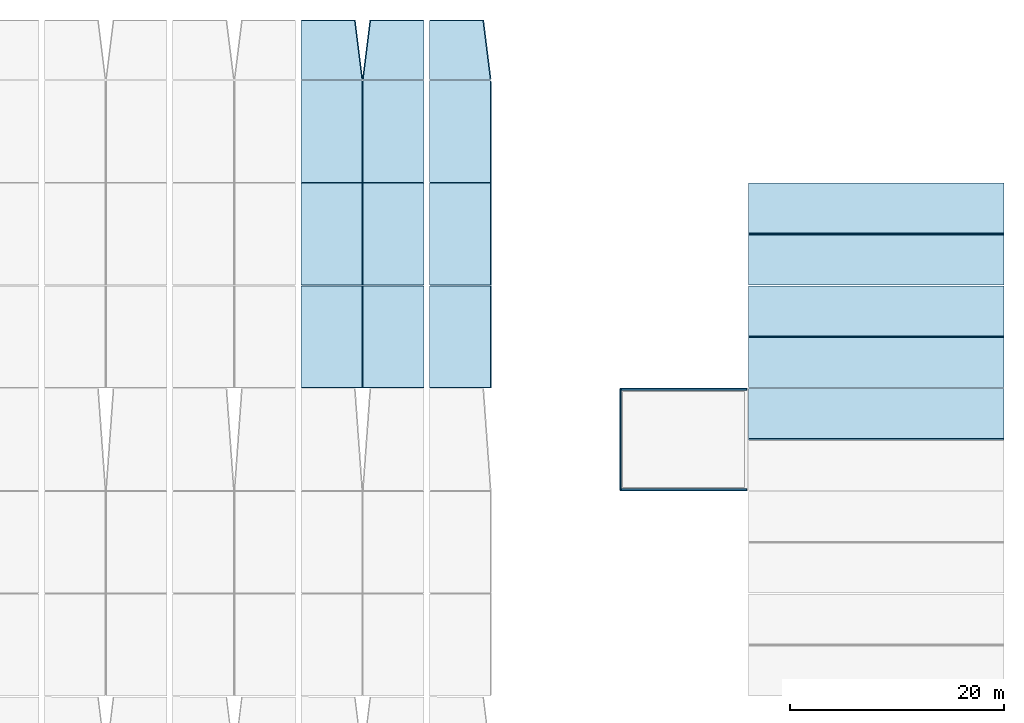
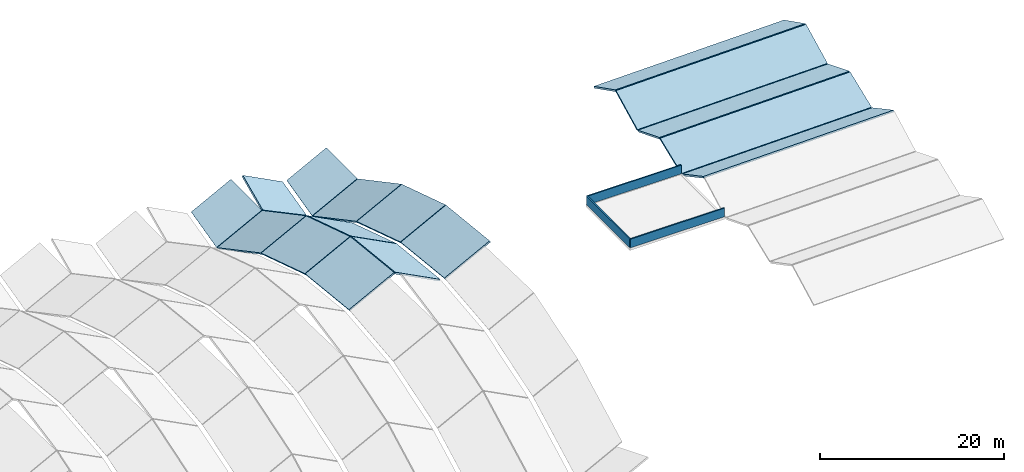
# One storey, part 3 of 4: 17 slabs, 3 walls.
"""IFC4 building model written with IfcOpenShell, lengths in metres."""

from ifc_helpers import new_model, si_unit, direction, frame, frame_2d, origin, place, context, subcontext, project, spatial, polyline, rectangle, outline, extrude, material, layer, layer_set, type_object, element, save


model = new_model("IFC4")

# Units and contexts
model_context = context("Model", 3, precision=1e-05, world=origin(), true_north=direction((0.0, 1.0)))
body_context = subcontext(model_context, "Body", "Model", "MODEL_VIEW")
ifc_project = project(units=[si_unit("LENGTHUNIT", "METRE"), si_unit("AREAUNIT", "SQUARE_METRE"), si_unit("VOLUMEUNIT", "CUBIC_METRE"), si_unit("PLANEANGLEUNIT", "RADIAN"), si_unit("MASSUNIT", "GRAM", prefix="KILO")], contexts=[model_context])

# Site, building, storey
site_placement = place(None, origin())
site = spatial("IfcSite", under=ifc_project, at=site_placement, CompositionType="ELEMENT")
building_placement = place(site_placement, origin())
building = spatial("IfcBuilding", under=site, at=building_placement, Name="Pandanus Reach Market Hall", CompositionType="ELEMENT")
storey_placement = place(building_placement, frame((0.0, 0.0, 22.800048828125)))
storey = spatial("IfcBuildingStorey", under=building, at=storey_placement, Name="RF", CompositionType="ELEMENT", Elevation=22.800048828125)

# Slabs
ifc_material_1 = material(Name="Concrete N50 (50 MPa)", Category="concrete")
ifc_layer_1 = layer(ifc_material_1, 0.205078125, Name="RF-BFY-205")
ifc_layer_set_1 = layer_set([ifc_layer_1], Name="Concrete N50 (50 MPa)")
slab_type_1 = type_object("IfcSlabType", Name="RF-BFY-205", PredefinedType="ROOF", material=ifc_layer_set_1)
slab_1_placement = place(storey_placement, frame((114.260009765625, 86.43994140625, -12.804931640625), z_axis=(-0.450556899093, -0.215053322153, 0.866458625273), x_axis=(0.887217290863, 1.723796e-06, 0.461351795044)))
element("IfcSlab", 1, at=slab_1_placement, inside=storey, type_object=slab_type_1, Name="Butterfly shell roof wing B6.8E", PredefinedType="ROOF", context=body_context, shape_type="SweptSolid", body=[
    extrude(outline(polyline([(0.0, 0.0), (6.401988351654198, 0.0), (6.256402913692908, 5.65225854928703), (0.6321155392589709, 5.652279776803195), (0.0, 0.0)])), origin(), (0.0, 0.0, -1.0), 0.205078125),
])
slab_2_placement = place(storey_placement, frame((120.06005859375, 86.43994140625, -9.851318359375), z_axis=(0.450556899093, -0.215053322153, 0.866458625273), x_axis=(0.887217290863, -1.723796e-06, -0.461351795044)))
element("IfcSlab", 2, at=slab_2_placement, inside=storey, type_object=slab_type_1, Name="Butterfly shell roof wing B7.8W", PredefinedType="ROOF", context=body_context, shape_type="SweptSolid", body=[
    extrude(outline(polyline([(0.0, 0.0), (6.401988351654198, 0.0), (5.769872812395228, 5.652279776803196), (0.14558543796129203, 5.65225854928703), (0.0, 0.0)])), origin(), (0.0, 0.0, -1.0), 0.205078125),
])
slab_3_placement = place(storey_placement, frame((126.260009765625, 86.43994140625, -12.804931640625), z_axis=(-0.450556899093, -0.215053322153, 0.866458625273), x_axis=(0.887217290863, 1.723796e-06, 0.461351795044)))
element("IfcSlab", 3, at=slab_3_placement, inside=storey, type_object=slab_type_1, Name="Butterfly shell roof wing B7.8E", PredefinedType="ROOF", context=body_context, shape_type="SweptSolid", body=[
    extrude(outline(polyline([(0.0, 0.0), (6.401988351654198, 0.0), (6.256402913692908, 5.65225854928703), (0.6321155392589709, 5.652279776803195), (0.0, 0.0)])), origin(), (0.0, 0.0, -1.0), 0.205078125),
])
ifc_layer_2 = layer(ifc_material_1, 0.219970703125, Name="RF-BFY-220")
ifc_layer_set_2 = layer_set([ifc_layer_2], Name="Concrete N50 (50 MPa)")
slab_type_2 = type_object("IfcSlabType", Name="RF-BFY-220", PredefinedType="ROOF", material=ifc_layer_set_2)
slab_4_placement = place(storey_placement, frame((114.260009765625, 57.639892578125, -3.604736328125), z_axis=(-0.459298291418, 0.094061978556, 0.883287848717), x_axis=(0.887221553122, 1.584233e-06, 0.461343598278)))
element("IfcSlab", 4, at=slab_4_placement, inside=storey, type_object=slab_type_2, Name="Butterfly shell roof wing B6.5E", PredefinedType="ROOF", context=body_context, shape_type="SweptSolid", body=[
    extrude(outline(polyline([(0.0, 0.0), (6.401875718205034, -2.7755575615628914e-17), (5.93423976985238, 9.562406556601218), (-0.46774858106707684, 9.562426931245342), (0.0, 0.0)])), origin(), (0.0, 0.0, -1.0), 0.219970703125),
])
slab_5_placement = place(storey_placement, frame((114.260009765625, 67.239990234375, -4.6357421875), z_axis=(-0.443877113552, 0.272667290232, 0.853595722167), x_axis=(0.887213679321, 0.0, 0.461358740272)))
element("IfcSlab", 5, at=slab_5_placement, inside=storey, type_object=slab_type_2, Name="Butterfly shell roof wing B6.6E", PredefinedType="ROOF", context=body_context, shape_type="SweptSolid", body=[
    extrude(outline(polyline([(0.0, 0.0), (6.401988351859866, 1.1102230246251565e-16), (4.998989213962437, 9.894955347344156), (-1.4029991378974285, 9.894955347344156), (0.0, 0.0)])), origin(), (0.0, 0.0, -1.0), 0.219970703125),
])
slab_6_placement = place(storey_placement, frame((114.260009765625, 76.840087890625, -7.710693359375), z_axis=(-0.417159840837, 0.427112666279, 0.802217200948), x_axis=(0.887213679321, 0.0, 0.461358740272)))
element("IfcSlab", 6, at=slab_6_placement, inside=storey, type_object=slab_type_2, Name="Butterfly shell roof wing B6.7E", PredefinedType="ROOF", context=body_context, shape_type="SweptSolid", body=[
    extrude(outline(polyline([(0.0, 0.0), (6.401988351859865, 2.220446049250313e-16), (4.063543818952953, 10.528684183719509), (-2.3384445329069137, 10.528684183719509), (0.0, 0.0)])), origin(), (0.0, 0.0, -1.0), 0.219970703125),
])
slab_7_placement = place(storey_placement, frame((120.06005859375, 57.639892578125, -0.6513671875), z_axis=(0.459298291418, 0.094061978556, 0.883287848717), x_axis=(0.887221553122, -1.584233e-06, -0.461343598278)))
element("IfcSlab", 7, at=slab_7_placement, inside=storey, type_object=slab_type_2, Name="Butterfly shell roof wing B7.5W", PredefinedType="ROOF", context=body_context, shape_type="SweptSolid", body=[
    extrude(outline(polyline([(0.0, 0.0), (6.401875718205034, 2.7755575615628914e-17), (6.86962429927211, 9.562426931245342), (0.4676359483526534, 9.562406556601216), (0.0, 0.0)])), origin(), (0.0, 0.0, -1.0), 0.219970703125),
])
slab_8_placement = place(storey_placement, frame((126.260009765625, 57.639892578125, -3.604736328125), z_axis=(-0.459298291418, 0.094061978556, 0.883287848717), x_axis=(0.887221553122, 1.584233e-06, 0.461343598278)))
element("IfcSlab", 8, at=slab_8_placement, inside=storey, type_object=slab_type_2, Name="Butterfly shell roof wing B7.5E", PredefinedType="ROOF", context=body_context, shape_type="SweptSolid", body=[
    extrude(outline(polyline([(0.0, 0.0), (6.401875718205034, -2.7755575615628914e-17), (5.93423976985238, 9.562406556601218), (-0.46774858106707684, 9.562426931245342), (0.0, 0.0)])), origin(), (0.0, 0.0, -1.0), 0.219970703125),
])
slab_9_placement = place(storey_placement, frame((120.06005859375, 67.239990234375, -1.68212890625), z_axis=(0.443877113552, 0.272667290232, 0.853595722167), x_axis=(0.887213679321, 0.0, -0.461358740272)))
element("IfcSlab", 9, at=slab_9_placement, inside=storey, type_object=slab_type_2, Name="Butterfly shell roof wing B7.6W", PredefinedType="ROOF", context=body_context, shape_type="SweptSolid", body=[
    extrude(outline(polyline([(0.0, 0.0), (6.401988351859866, -1.1102230246251565e-16), (7.804987489757294, 9.894955347344156), (1.4029991378974285, 9.894955347344156), (0.0, 0.0)])), origin(), (0.0, 0.0, -1.0), 0.219970703125),
])
slab_10_placement = place(storey_placement, frame((126.260009765625, 67.239990234375, -4.6357421875), z_axis=(-0.443877113552, 0.272667290232, 0.853595722167), x_axis=(0.887213679321, 0.0, 0.461358740272)))
element("IfcSlab", 10, at=slab_10_placement, inside=storey, type_object=slab_type_2, Name="Butterfly shell roof wing B7.6E", PredefinedType="ROOF", context=body_context, shape_type="SweptSolid", body=[
    extrude(outline(polyline([(0.0, 0.0), (6.401988351859866, 1.1102230246251565e-16), (4.998989213962437, 9.894955347344156), (-1.4029991378974285, 9.894955347344156), (0.0, 0.0)])), origin(), (0.0, 0.0, -1.0), 0.219970703125),
])
slab_11_placement = place(storey_placement, frame((120.06005859375, 76.840087890625, -4.757080078125), z_axis=(0.417159840837, 0.427112666279, 0.802217200948), x_axis=(0.887213679321, 0.0, -0.461358740272)))
element("IfcSlab", 11, at=slab_11_placement, inside=storey, type_object=slab_type_2, Name="Butterfly shell roof wing B7.7W", PredefinedType="ROOF", context=body_context, shape_type="SweptSolid", body=[
    extrude(outline(polyline([(0.0, 0.0), (6.401988351859865, -2.220446049250313e-16), (8.74043288476678, 10.528684183719509), (2.3384445329069137, 10.528684183719509), (0.0, 0.0)])), origin(), (0.0, 0.0, -1.0), 0.219970703125),
])
slab_12_placement = place(storey_placement, frame((126.260009765625, 76.840087890625, -7.710693359375), z_axis=(-0.417159840837, 0.427112666279, 0.802217200948), x_axis=(0.887213679321, 0.0, 0.461358740272)))
element("IfcSlab", 12, at=slab_12_placement, inside=storey, type_object=slab_type_2, Name="Butterfly shell roof wing B7.7E", PredefinedType="ROOF", context=body_context, shape_type="SweptSolid", body=[
    extrude(outline(polyline([(0.0, 0.0), (6.401988351859865, 2.220446049250313e-16), (4.063543818952953, 10.528684183719509), (-2.3384445329069137, 10.528684183719509), (0.0, 0.0)])), origin(), (0.0, 0.0, -1.0), 0.219970703125),
])
slab_13_placement = place(storey_placement, frame((156.06005859375, 52.8798828125, 2.349853515625), z_axis=(-0.01660374938, 0.473347931812, 0.880719053363), x_axis=(0.999822339119, 0.0, 0.018849143186)))
element("IfcSlab", 13, at=slab_13_placement, inside=storey, type_object=slab_type_2, Name="Culinary wing folded shell roof V4.3N", PredefinedType="ROOF", context=body_context, shape_type="SweptSolid", body=[
    extrude(outline(polyline([(0.0, 0.0), (23.88412608738553, 0.0), (23.836814553914333, 5.301731910973259), (-0.0473115334711957, 5.301731910973259), (0.0, 0.0)])), origin(), (0.0, 0.0, -1.0), 0.219970703125),
])
slab_14_placement = place(storey_placement, frame((156.06005859375, 57.64990234375, -0.16015625), z_axis=(-0.017507098242, -0.369947733363, 0.92888760143), x_axis=(0.999822422245, 1.756322e-06, 0.018844733304)))
element("IfcSlab", 14, at=slab_14_placement, inside=storey, type_object=slab_type_2, Name="Culinary wing folded shell roof V4.4S", PredefinedType="ROOF", context=body_context, shape_type="SweptSolid", body=[
    extrude(outline(polyline([(0.0, 0.0), (23.88412608711637, 2.7755575615628914e-17), (23.919182916950245, 5.026759696291986), (0.03506143059884038, 5.026849999516626), (0.0, 0.0)])), origin(), (0.0, 0.0, -1.0), 0.219970703125),
])
slab_15_placement = place(storey_placement, frame((156.06005859375, 62.47998046875, 1.699951171875), z_axis=(-0.017506972976, 0.369964426837, 0.928880955114), x_axis=(0.999822448604, 1.756389e-06, 0.018843334758)))
element("IfcSlab", 15, at=slab_15_placement, inside=storey, type_object=slab_type_2, Name="Culinary wing folded shell roof V4.4N", PredefinedType="ROOF", context=body_context, shape_type="SweptSolid", body=[
    extrude(outline(polyline([(0.0, 0.0), (23.88412148652212, 0.0), (23.849083662311546, 5.026533008104403), (-0.035042424634096604, 5.02662331542127), (0.0, 0.0)])), origin(), (0.0, 0.0, -1.0), 0.219970703125),
])
slab_16_placement = place(storey_placement, frame((156.06005859375, 67.25, -0.16015625), z_axis=(-0.016819020242, -0.450971796957, 0.892379716773), x_axis=(0.999822415839, 2.056837e-06, 0.018845073133)))
element("IfcSlab", 16, at=slab_16_placement, inside=storey, type_object=slab_type_2, Name="Culinary wing folded shell roof V4.5S", PredefinedType="ROOF", context=body_context, shape_type="SweptSolid", body=[
    extrude(outline(polyline([(0.0, 0.0), (23.884126087137112, 2.7755575615628914e-17), (23.928607488522704, 5.2321263763273045), (0.04448600223352486, 5.232236457303114), (0.0, 0.0)])), origin(), (0.0, 0.0, -1.0), 0.219970703125),
])
slab_17_placement = place(storey_placement, frame((156.06005859375, 72.080078125, 2.199951171875), z_axis=(-0.016819020242, 0.450971796957, 0.892379716773), x_axis=(0.999822455007, 2.056837e-06, 0.018842994991)))
element("IfcSlab", 17, at=slab_17_placement, inside=storey, type_object=slab_type_2, Name="Culinary wing folded shell roof V4.5N", PredefinedType="ROOF", context=body_context, shape_type="SweptSolid", body=[
    extrude(outline(polyline([(0.0, 0.0), (23.884121486542856, 0.0), (23.83966419982226, 5.232126581284762), (-0.044461887061170956, 5.232236662281775), (0.0, 0.0)])), origin(), (0.0, 0.0, -1.0), 0.219970703125),
])

# Walls
ifc_material_2 = material(Name="Precast concrete S50 (50 MPa)", Category="concrete")
ifc_layer_3 = layer(ifc_material_2, 0.1650390625, Name="WL-PAR-165")
ifc_layer_set_3 = layer_set([ifc_layer_3], Name="Precast concrete S50 (50 MPa)")
wall_type = type_object("IfcWallType", Name="WL-PAR-165", PredefinedType="PARAPET", material=ifc_layer_set_3)
for number, where, z_axis, x_axis, name in (
    (18, (144.10009765625, 48.10009765625, 0.0), (0.0, 0.0, 1.0), (1.0, 0.0, 0.0), "Roof parapet WL-PAR-165 RF.9"),
    (19, (144.10009765625, 57.5, 0.0), (0.0, 0.0, 1.0), (1.0, 0.0, 0.0), "Roof parapet WL-PAR-165 RF.10"),
):
    element("IfcWall", number, at=place(storey_placement, frame(where, z_axis=z_axis, x_axis=x_axis)), inside=storey, type_object=wall_type, Name=name, PredefinedType="PARAPET", context=body_context, shape_type="SweptSolid", body=[
        extrude(rectangle(XDim=11.7998046875, YDim=0.1650390625, at=frame_2d((5.89990234375, 0.0))), origin(), (0.0, 0.0, 1.0), 1.14990234375),
    ])
wall_placement = place(storey_placement, frame((144.10009765625, 48.10009765625, 0.0), z_axis=(0.0, 0.0, 1.0), x_axis=(0.0, 1.0, 0.0)))
element("IfcWall", 20, at=wall_placement, inside=storey, type_object=wall_type, Name="Roof parapet WL-PAR-165 RF.11", PredefinedType="PARAPET", context=body_context, shape_type="SweptSolid", body=[
    extrude(rectangle(XDim=9.39990234375, YDim=0.1650390625, at=frame_2d((4.699951171875, 0.0))), origin(), (0.0, 0.0, 1.0), 1.14990234375),
])

save(model, "model.ifc")
